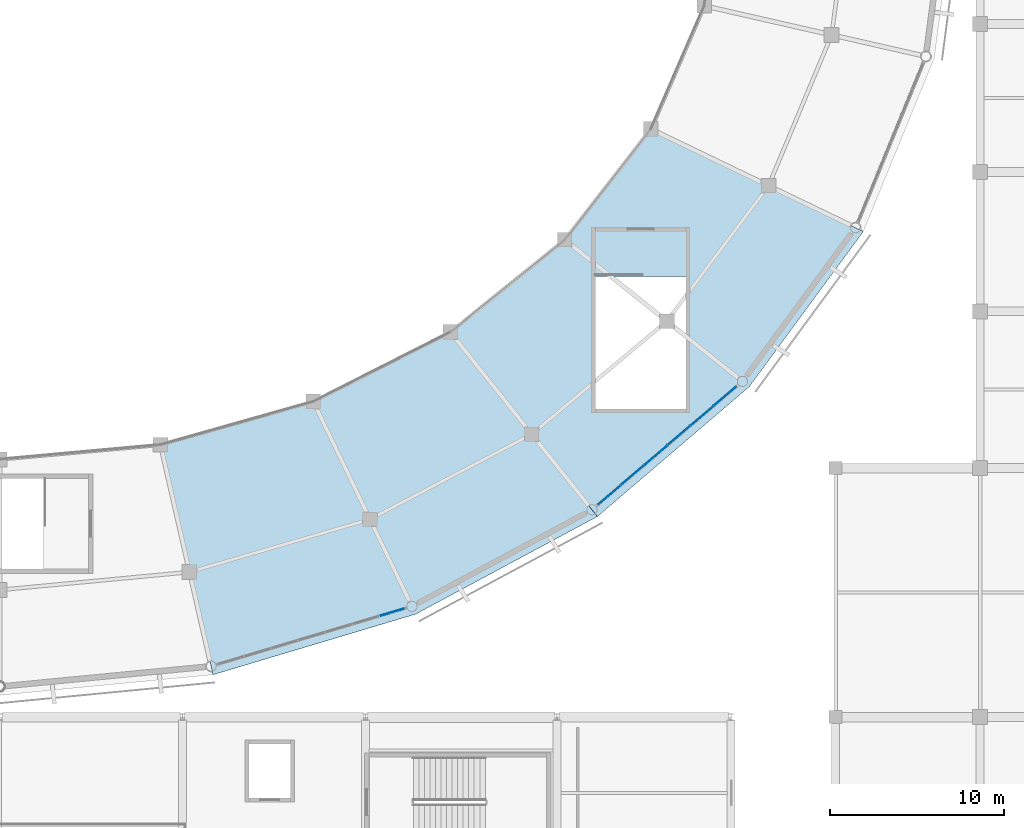
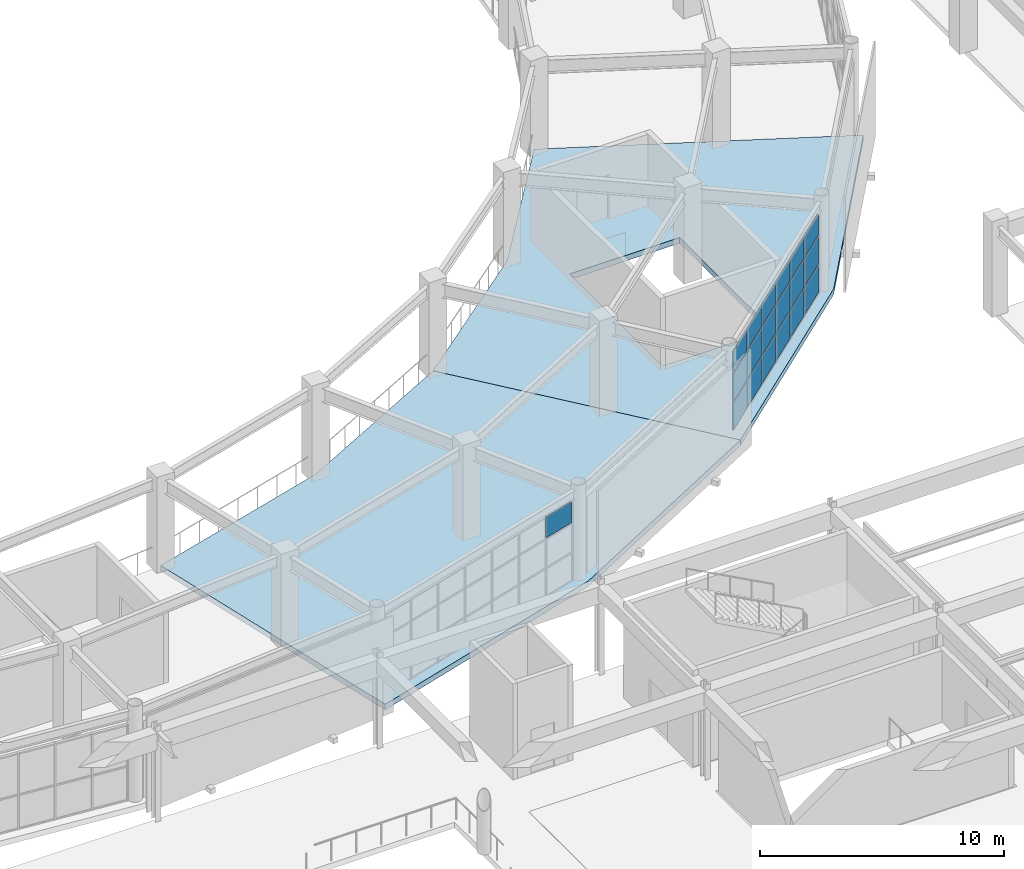
# One storey, part 69 of 112: 19 plates, 2 slabs, 2 elements without a shape of their own.
"""IFC4 building model written with IfcOpenShell, lengths in metres."""

from ifc_helpers import new_model, si_unit, direction, frame, origin, origin_2d, place, context, subcontext, project, spatial, polyline, rectangle, outline, extrude, material, layer, layer_set, type_object, element, aggregate, save


model = new_model("IFC4")

# Units and contexts
model_context = context("Model", 3, precision=1e-05, world=origin(), true_north=direction((0.0, 1.0)))
body_context = subcontext(model_context, "Body", "Model", "MODEL_VIEW")
ifc_project = project(units=[si_unit("LENGTHUNIT", "METRE"), si_unit("AREAUNIT", "SQUARE_METRE"), si_unit("VOLUMEUNIT", "CUBIC_METRE"), si_unit("PLANEANGLEUNIT", "RADIAN"), si_unit("MASSUNIT", "GRAM", prefix="KILO")], contexts=[model_context])

# Site, building, storey
site_placement = place(None, origin())
site = spatial("IfcSite", under=ifc_project, at=site_placement, CompositionType="ELEMENT")
building_placement = place(site_placement, origin())
building = spatial("IfcBuilding", under=site, at=building_placement, Name="Cuetzalor Civic Arena", CompositionType="ELEMENT")
storey_placement = place(building_placement, frame((0.0, 0.0, 11.39990234375)))
storey = spatial("IfcBuildingStorey", under=building, at=storey_placement, Name="L02", CompositionType="ELEMENT", Elevation=11.39990234375)

# Curtain wall, plate
ifc_material_1 = material(Name="Anodised dark bronze aluminium and low-E solar glass", Category="aluminium")
curtain_wall_type_1 = type_object("IfcCurtainWallType", Name="UnitisedCW_11300x4050", PredefinedType="USERDEFINED", material=ifc_material_1)
curtain_wall_1_placement = place(storey_placement, origin())
curtain_wall_1 = element("IfcCurtainWall", 1, at=curtain_wall_1_placement, inside=storey, type_object=curtain_wall_type_1, Name="Drum Triangle Foyer Curtain Wall L02-042", ObjectType="UNITISED CURTAIN WALL", PredefinedType="USERDEFINED")
ifc_material_2 = material(Name="Acoustic laminated solar control glass", Category="glass")
ifc_layer_1 = layer(ifc_material_2, 0.0439453125)
ifc_layer_set_1 = layer_set([ifc_layer_1], Name="Acoustic laminated solar control glass")
plate_type = type_object("IfcPlateType", Name="AcousticTripleGlazedPanel_44", PredefinedType="CURTAIN_PANEL", material=ifc_layer_set_1)
plate_1_placement = place(storey_placement, frame((22.532470703125, -42.279296875, 2.950439453125), z_axis=(0.0, 0.0, 1.0), x_axis=(-0.958193690548, -0.286120344251, 0.0)))
plate_1 = element("IfcPlate", 2, at=plate_1_placement, type_object=plate_type, Name="CW-15 panel 1.3", PredefinedType="CURTAIN_PANEL", context=body_context, shape_type="SweptSolid", body=[
    extrude(rectangle(XDim=1.518310546875, YDim=0.0439453125, at=origin_2d()), origin(), (0.0, 0.0, 1.0), 1.03759765625),
])
aggregate(curtain_wall_1, [plate_1])

# Curtain wall, plates
ifc_material_3 = material(Name="Anodised dark bronze aluminium and low-E solar glass", Category="aluminium")
curtain_wall_type_2 = type_object("IfcCurtainWallType", Name="UnitisedCW_10550x4050", PredefinedType="USERDEFINED", material=ifc_material_3)
curtain_wall_2_placement = place(storey_placement, origin())
curtain_wall_2 = element("IfcCurtainWall", 3, at=curtain_wall_2_placement, inside=storey, type_object=curtain_wall_type_2, Name="Drum Triangle Foyer Curtain Wall L02-043", ObjectType="UNITISED CURTAIN WALL", PredefinedType="USERDEFINED")
plate_2_placement = place(storey_placement, frame((41.655517578125, -29.87109375, 0.06494140625), z_axis=(0.0, 0.0, 1.0), x_axis=(-0.760677142663, -0.64913040649, 0.0)))
plate_2 = element("IfcPlate", 4, at=plate_2_placement, type_object=plate_type, Name="CW-16 panel 1.1", PredefinedType="CURTAIN_PANEL", context=body_context, shape_type="SweptSolid", body=[
    extrude(rectangle(XDim=1.65771484375, YDim=0.0439453125, at=origin_2d()), origin(), (0.0, 0.0, 1.0), 1.361572265625),
])
plate_3_placement = place(storey_placement, frame((41.655517578125, -29.87109375, 1.491455078125), z_axis=(0.0, 0.0, 1.0), x_axis=(-0.760677142663, -0.64913040649, 0.0)))
plate_3 = element("IfcPlate", 5, at=plate_3_placement, type_object=plate_type, Name="CW-16 panel 1.2", PredefinedType="CURTAIN_PANEL", context=body_context, shape_type="SweptSolid", body=[
    extrude(rectangle(XDim=1.65771484375, YDim=0.0439453125, at=origin_2d()), origin(), (0.0, 0.0, 1.0), 1.39404296875),
])
plate_4_placement = place(storey_placement, frame((41.655517578125, -29.87109375, 2.950439453125), z_axis=(0.0, 0.0, 1.0), x_axis=(-0.760677142663, -0.64913040649, 0.0)))
plate_4 = element("IfcPlate", 6, at=plate_4_placement, type_object=plate_type, Name="CW-16 panel 1.3", PredefinedType="CURTAIN_PANEL", context=body_context, shape_type="SweptSolid", body=[
    extrude(rectangle(XDim=1.65771484375, YDim=0.0439453125, at=origin_2d()), origin(), (0.0, 0.0, 1.0), 1.03759765625),
])
plate_5_placement = place(storey_placement, frame((40.332763671875, -31.0, 0.06494140625), z_axis=(0.0, 0.0, 1.0), x_axis=(-0.760677142663, -0.64913040649, 0.0)))
plate_5 = element("IfcPlate", 7, at=plate_5_placement, type_object=plate_type, Name="CW-16 panel 2.1", PredefinedType="CURTAIN_PANEL", context=body_context, shape_type="SweptSolid", body=[
    extrude(rectangle(XDim=1.690185546875, YDim=0.0439453125, at=origin_2d()), origin(), (0.0, 0.0, 1.0), 1.361572265625),
])
plate_6_placement = place(storey_placement, frame((40.332763671875, -31.0, 1.491455078125), z_axis=(0.0, 0.0, 1.0), x_axis=(-0.760677142663, -0.64913040649, 0.0)))
plate_6 = element("IfcPlate", 8, at=plate_6_placement, type_object=plate_type, Name="CW-16 panel 2.2", PredefinedType="CURTAIN_PANEL", context=body_context, shape_type="SweptSolid", body=[
    extrude(rectangle(XDim=1.690185546875, YDim=0.0439453125, at=origin_2d()), origin(), (0.0, 0.0, 1.0), 1.39404296875),
])
plate_7_placement = place(storey_placement, frame((40.332763671875, -31.0, 2.950439453125), z_axis=(0.0, 0.0, 1.0), x_axis=(-0.760677142663, -0.64913040649, 0.0)))
plate_7 = element("IfcPlate", 9, at=plate_7_placement, type_object=plate_type, Name="CW-16 panel 2.3", PredefinedType="CURTAIN_PANEL", context=body_context, shape_type="SweptSolid", body=[
    extrude(rectangle(XDim=1.690185546875, YDim=0.0439453125, at=origin_2d()), origin(), (0.0, 0.0, 1.0), 1.03759765625),
])
plate_8_placement = place(storey_placement, frame((38.997802734375, -32.13916015625, 0.06494140625), z_axis=(0.0, 0.0, 1.0), x_axis=(-0.760677142663, -0.64913040649, 0.0)))
plate_8 = element("IfcPlate", 10, at=plate_8_placement, type_object=plate_type, Name="CW-16 panel 3.1", PredefinedType="CURTAIN_PANEL", context=body_context, shape_type="SweptSolid", body=[
    extrude(rectangle(XDim=1.690185546875, YDim=0.0439453125, at=origin_2d()), origin(), (0.0, 0.0, 1.0), 1.361572265625),
])
plate_9_placement = place(storey_placement, frame((38.997802734375, -32.13916015625, 1.491455078125), z_axis=(0.0, 0.0, 1.0), x_axis=(-0.760677142663, -0.64913040649, 0.0)))
plate_9 = element("IfcPlate", 11, at=plate_9_placement, type_object=plate_type, Name="CW-16 panel 3.2", PredefinedType="CURTAIN_PANEL", context=body_context, shape_type="SweptSolid", body=[
    extrude(rectangle(XDim=1.690185546875, YDim=0.0439453125, at=origin_2d()), origin(), (0.0, 0.0, 1.0), 1.39404296875),
])
plate_10_placement = place(storey_placement, frame((38.997802734375, -32.13916015625, 2.950439453125), z_axis=(0.0, 0.0, 1.0), x_axis=(-0.760677142663, -0.64913040649, 0.0)))
plate_10 = element("IfcPlate", 12, at=plate_10_placement, type_object=plate_type, Name="CW-16 panel 3.3", PredefinedType="CURTAIN_PANEL", context=body_context, shape_type="SweptSolid", body=[
    extrude(rectangle(XDim=1.690185546875, YDim=0.0439453125, at=origin_2d()), origin(), (0.0, 0.0, 1.0), 1.03759765625),
])
plate_11_placement = place(storey_placement, frame((37.66259765625, -33.278564453125, 0.06494140625), z_axis=(0.0, 0.0, 1.0), x_axis=(-0.760677142663, -0.64913040649, 0.0)))
plate_11 = element("IfcPlate", 13, at=plate_11_placement, type_object=plate_type, Name="CW-16 panel 4.1", PredefinedType="CURTAIN_PANEL", context=body_context, shape_type="SweptSolid", body=[
    extrude(rectangle(XDim=1.690185546875, YDim=0.0439453125, at=origin_2d()), origin(), (0.0, 0.0, 1.0), 1.361572265625),
])
plate_12_placement = place(storey_placement, frame((37.66259765625, -33.278564453125, 1.491455078125), z_axis=(0.0, 0.0, 1.0), x_axis=(-0.760677142663, -0.64913040649, 0.0)))
plate_12 = element("IfcPlate", 14, at=plate_12_placement, type_object=plate_type, Name="CW-16 panel 4.2", PredefinedType="CURTAIN_PANEL", context=body_context, shape_type="SweptSolid", body=[
    extrude(rectangle(XDim=1.690185546875, YDim=0.0439453125, at=origin_2d()), origin(), (0.0, 0.0, 1.0), 1.39404296875),
])
plate_13_placement = place(storey_placement, frame((37.66259765625, -33.278564453125, 2.950439453125), z_axis=(0.0, 0.0, 1.0), x_axis=(-0.760677142663, -0.64913040649, 0.0)))
plate_13 = element("IfcPlate", 15, at=plate_13_placement, type_object=plate_type, Name="CW-16 panel 4.3", PredefinedType="CURTAIN_PANEL", context=body_context, shape_type="SweptSolid", body=[
    extrude(rectangle(XDim=1.690185546875, YDim=0.0439453125, at=origin_2d()), origin(), (0.0, 0.0, 1.0), 1.03759765625),
])
plate_14_placement = place(storey_placement, frame((36.327392578125, -34.41796875, 0.06494140625), z_axis=(0.0, 0.0, 1.0), x_axis=(-0.760677142663, -0.64913040649, 0.0)))
plate_14 = element("IfcPlate", 16, at=plate_14_placement, type_object=plate_type, Name="CW-16 panel 5.1", PredefinedType="CURTAIN_PANEL", context=body_context, shape_type="SweptSolid", body=[
    extrude(rectangle(XDim=1.690185546875, YDim=0.0439453125, at=origin_2d()), origin(), (0.0, 0.0, 1.0), 1.361572265625),
])
plate_15_placement = place(storey_placement, frame((36.327392578125, -34.41796875, 1.491455078125), z_axis=(0.0, 0.0, 1.0), x_axis=(-0.760677142663, -0.64913040649, 0.0)))
plate_15 = element("IfcPlate", 17, at=plate_15_placement, type_object=plate_type, Name="CW-16 panel 5.2", PredefinedType="CURTAIN_PANEL", context=body_context, shape_type="SweptSolid", body=[
    extrude(rectangle(XDim=1.690185546875, YDim=0.0439453125, at=origin_2d()), origin(), (0.0, 0.0, 1.0), 1.39404296875),
])
plate_16_placement = place(storey_placement, frame((36.327392578125, -34.41796875, 2.950439453125), z_axis=(0.0, 0.0, 1.0), x_axis=(-0.760677142663, -0.64913040649, 0.0)))
plate_16 = element("IfcPlate", 18, at=plate_16_placement, type_object=plate_type, Name="CW-16 panel 5.3", PredefinedType="CURTAIN_PANEL", context=body_context, shape_type="SweptSolid", body=[
    extrude(rectangle(XDim=1.690185546875, YDim=0.0439453125, at=origin_2d()), origin(), (0.0, 0.0, 1.0), 1.03759765625),
])
plate_17_placement = place(storey_placement, frame((35.004638671875, -35.546630859375, 0.06494140625), z_axis=(0.0, 0.0, 1.0), x_axis=(-0.760677142663, -0.64913040649, 0.0)))
plate_17 = element("IfcPlate", 19, at=plate_17_placement, type_object=plate_type, Name="CW-16 panel 6.1", PredefinedType="CURTAIN_PANEL", context=body_context, shape_type="SweptSolid", body=[
    extrude(rectangle(XDim=1.65771484375, YDim=0.0439453125, at=origin_2d()), origin(), (0.0, 0.0, 1.0), 1.361572265625),
])
plate_18_placement = place(storey_placement, frame((35.004638671875, -35.546630859375, 1.491455078125), z_axis=(0.0, 0.0, 1.0), x_axis=(-0.760677142663, -0.64913040649, 0.0)))
plate_18 = element("IfcPlate", 20, at=plate_18_placement, type_object=plate_type, Name="CW-16 panel 6.2", PredefinedType="CURTAIN_PANEL", context=body_context, shape_type="SweptSolid", body=[
    extrude(rectangle(XDim=1.65771484375, YDim=0.0439453125, at=origin_2d()), origin(), (0.0, 0.0, 1.0), 1.39404296875),
])
plate_19_placement = place(storey_placement, frame((35.004638671875, -35.546630859375, 2.950439453125), z_axis=(0.0, 0.0, 1.0), x_axis=(-0.760677142663, -0.64913040649, 0.0)))
plate_19 = element("IfcPlate", 21, at=plate_19_placement, type_object=plate_type, Name="CW-16 panel 6.3", PredefinedType="CURTAIN_PANEL", context=body_context, shape_type="SweptSolid", body=[
    extrude(rectangle(XDim=1.65771484375, YDim=0.0439453125, at=origin_2d()), origin(), (0.0, 0.0, 1.0), 1.03759765625),
])
aggregate(curtain_wall_2, [plate_2, plate_3, plate_4, plate_5, plate_6, plate_7, plate_8, plate_9, plate_10, plate_11, plate_12, plate_13, plate_14, plate_15, plate_16, plate_17, plate_18, plate_19])

# Slabs
ifc_material_4 = material(Name="Concrete C35/45", Category="concrete")
ifc_layer_2 = layer(ifc_material_4, 0.280029296875)
ifc_layer_set_2 = layer_set([ifc_layer_2], Name="Concrete C35/45")
slab_type = type_object("IfcSlabType", Name="SuspendedFloorSlab_280", PredefinedType="FLOOR", material=ifc_layer_set_2)
slab_1_placement = place(storey_placement, frame((0.0, 0.0, -0.27978515625)))
element("IfcSlab", 22, at=slab_1_placement, inside=storey, type_object=slab_type, Name="Arena Concourse Sector Slab L02-12", PredefinedType="FLOOR", context=body_context, shape_type="SweptSolid", body=[
    extrude(outline(polyline([(9.234619140625, -32.66015625), (18.006103515625, -30.1826171875), (25.874755859375, -26.19140625), (34.322998046875, -36.78515625), (23.88525390625, -42.390625), (12.249755859375, -45.870361328125), (9.234619140625, -32.66015625)])), origin(), (0.0, 0.0, 1.0), 0.27978515625),
])
slab_2_placement = place(storey_placement, frame((0.0, 0.0, -0.27978515625)))
element("IfcSlab", 23, at=slab_2_placement, inside=storey, type_object=slab_type, Name="Arena Concourse Sector Slab L02-13", PredefinedType="FLOOR", context=body_context, shape_type="SweptSolid", body=[
    extrude(outline(polyline([(32.446044921875, -20.886962890625), (37.39013671875, -14.53515625), (49.598388671875, -20.414306640625), (43.039794921875, -29.335205078125), (34.322998046875, -36.78515625), (25.874755859375, -26.19140625), (32.446044921875, -20.886962890625)]), holes=[polyline([(39.39990234375, -30.60009765625), (39.39990234375, -23.0), (34.199951171875, -23.0), (34.199951171875, -30.60009765625), (39.39990234375, -30.60009765625)])]), origin(), (0.0, 0.0, 1.0), 0.27978515625),
])

save(model, "model.ifc")
